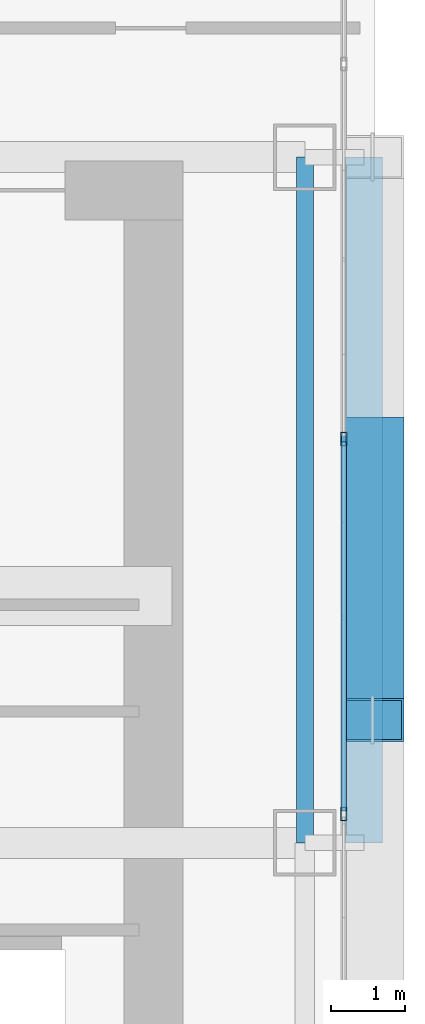
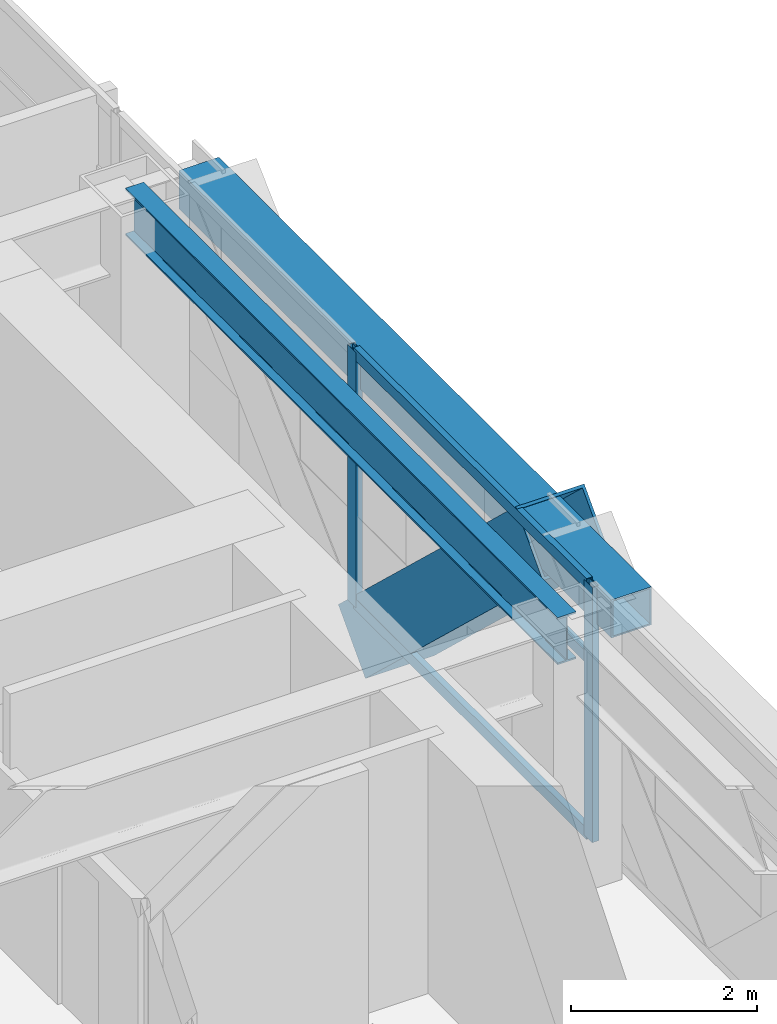
# One storey, part 15 of 38: 6 members, 2 beams, 1 element without a shape of its own.
"""IFC4 building model written with IfcOpenShell, lengths in metres."""

from ifc_helpers import new_model, si_unit, direction, frame, origin, origin_2d, place, context, subcontext, project, spatial, hollow_rectangle, i_section, extrude, source, transform, mapped, material, layer, layer_set, material_profile, profile_set, type_object, element, aggregate, save


model = new_model("IFC4")

# Units and contexts
model_context = context("Model", 3, precision=1e-05, world=origin(), true_north=direction((0.0, 1.0)))
body_context = subcontext(model_context, "Body", "Model", "MODEL_VIEW")
ifc_project = project(units=[si_unit("LENGTHUNIT", "METRE"), si_unit("AREAUNIT", "SQUARE_METRE"), si_unit("VOLUMEUNIT", "CUBIC_METRE"), si_unit("PLANEANGLEUNIT", "RADIAN"), si_unit("MASSUNIT", "GRAM", prefix="KILO")], contexts=[model_context])

# Site, building, storey
site_placement = place(None, origin())
site = spatial("IfcSite", under=ifc_project, at=site_placement, CompositionType="ELEMENT")
building_placement = place(site_placement, origin())
building = spatial("IfcBuilding", under=site, at=building_placement, Name="Ocotamira Hotel", CompositionType="ELEMENT")
storey_placement = place(building_placement, frame((0.0, 0.0, 45.60009765625)))
storey = spatial("IfcBuildingStorey", under=building, at=storey_placement, Name="L10", CompositionType="ELEMENT", Elevation=45.60009765625)

# Beams
ifc_material_1 = material(Name="Steel ASTM A992 Grade 50", Category="steel")
ifc_material_profile_1 = material_profile(ifc_material_1, i_section(OverallWidth=0.22998046875, OverallDepth=0.616943359375, WebThickness=0.01318359375, FlangeThickness=0.022216796875, FilletRadius=0.012939453125, at=origin_2d()), Name="W24X94")
ifc_profile_set_1 = profile_set([ifc_material_profile_1], Name="Steel ASTM A992 Grade 50")
beam_type_1 = type_object("IfcBeamType", Name="BM-PRIM-W24X94", PredefinedType="BEAM", material=ifc_profile_set_1)
shared_shape_1 = source(origin(), body_context, "Body", "SweptSolid", [
    extrude(i_section(OverallWidth=0.22998046875, OverallDepth=0.616943359375, WebThickness=0.01318359375, FlangeThickness=0.022216796875, FilletRadius=0.012939453125, at=origin_2d()), origin(), (0.0, 0.0, 1.0), 9.300048828125),
])
beam_1_placement = place(storey_placement, frame((55.050048828125, 28.14990234375, 3.04150390625), z_axis=(0.0, 1.0, 0.0), x_axis=(-1.0, 0.0, 0.0)))
element("IfcBeam", 1, at=beam_1_placement, inside=storey, type_object=beam_type_1, Name="L10 Beam X55.05 Y28.15-37.45", PredefinedType="BEAM", context=body_context, shape_type="MappedRepresentation", body=[
    mapped(shared_shape_1, transform((0.0, 0.0, 0.0), scale=1.0)),
])
ifc_material_2 = material(Name="Steel ASTM A500 Grade C", Category="steel")
ifc_material_profile_2 = material_profile(ifc_material_2, hollow_rectangle(XDim=0.5, YDim=0.5, WallThickness=0.02001953125, at=origin_2d()), Name="HSS500X500X20")
ifc_profile_set_2 = profile_set([ifc_material_profile_2], Name="Steel ASTM A500 Grade C")
beam_type_2 = type_object("IfcBeamType", Name="BM-SPAN-HSS500", PredefinedType="USERDEFINED", material=ifc_profile_set_2)
shared_shape_2 = source(origin(), body_context, "Body", "SweptSolid", [
    extrude(hollow_rectangle(XDim=0.5, YDim=0.5, WallThickness=0.02001953125, at=origin_2d()), origin(), (0.0, 0.0, 1.0), 9.300048828125),
])
beam_2_placement = place(storey_placement, frame((55.85009765625, 28.14990234375, 3.099853515625), z_axis=(0.0, 1.0, 0.0), x_axis=(-1.0, 0.0, 0.0)))
element("IfcBeam", 2, at=beam_2_placement, inside=storey, type_object=beam_type_2, Name="L10 Edge Spandrel E Y28.15-37.45", ObjectType="SPANDREL", PredefinedType="USERDEFINED", context=body_context, shape_type="MappedRepresentation", body=[
    mapped(shared_shape_2, transform((0.0, 0.0, 0.0), scale=1.0)),
])

# Member
ifc_material_3 = material(Name="Pale-metal coated steel ASTM A913 Grade 65", Category="steel")
ifc_material_profile_3 = material_profile(ifc_material_3, hollow_rectangle(XDim=0.85009765625, YDim=0.85009765625, WallThickness=0.035888671875, at=origin_2d()), Name="BOX850X850X36")
ifc_profile_set_3 = profile_set([ifc_material_profile_3], Name="Pale-metal coated steel ASTM A913 Grade 65")
member_type_1 = type_object("IfcMemberType", Name="MEM-EXO-BOX850", PredefinedType="BRACE", material=ifc_profile_set_3)
shared_shape_3 = source(origin(), body_context, "Body", "SweptSolid", [
    extrude(hollow_rectangle(XDim=0.85009765625, YDim=0.85009765625, WallThickness=0.035888671875, at=origin_2d()), origin(), (0.0, 0.0, 1.0), 5.24658203125),
])
member_1_placement = place(storey_placement, frame((55.969970703125, 33.63330078125, -0.5), z_axis=(0.0, -0.72746596067, 0.686143772154), x_axis=(1.0, 0.0, 0.0)))
element("IfcMember", 3, at=member_1_placement, inside=storey, type_object=member_type_1, Name="L10 Exoskeleton Diagrid E2.1", PredefinedType="BRACE", context=body_context, shape_type="MappedRepresentation", body=[
    mapped(shared_shape_3, transform((0.0, 0.0, 0.0), scale=1.0)),
])

# Curtain wall, members
ifc_material_4 = material(Name="Anodised pale-metal aluminium and solar glass", Category="aluminium")
ifc_layer = layer(ifc_material_4, 0.179931640625)
ifc_layer_set = layer_set([ifc_layer], Name="Anodised pale-metal aluminium and solar glass")
curtain_wall_type = type_object("IfcCurtainWallType", Name="CW-SYS2-Z1", PredefinedType="NOTDEFINED", material=ifc_layer_set)
curtain_wall_placement = place(storey_placement, origin())
curtain_wall = element("IfcCurtainWall", 4, at=curtain_wall_placement, inside=storey, type_object=curtain_wall_type, Name="L10 Curtain Wall CW-2 CW-L10-E", PredefinedType="NOTDEFINED")
ifc_material_5 = material(Name="Anodised pale-metal aluminium 6063-T6", Category="aluminium")
ifc_material_profile_4 = material_profile(ifc_material_5, hollow_rectangle(XDim=0.080078125, YDim=0.179931640625, WallThickness=0.006103515625, at=origin_2d()), Name="HSS180X80X6")
ifc_profile_set_4 = profile_set([ifc_material_profile_4], Name="Anodised pale-metal aluminium 6063-T6")
member_type_2 = type_object("IfcMemberType", Name="CWM-180X75", PredefinedType="MULLION", material=ifc_profile_set_4)
shared_shape_4 = source(origin(), body_context, "Body", "SweptSolid", [
    extrude(hollow_rectangle(XDim=0.080078125, YDim=0.179931640625, WallThickness=0.006103515625, at=origin_2d()), origin(), (0.0, 0.0, 1.0), 3.349853515625),
])
member_2_placement = place(storey_placement, frame((55.580078125, 28.54296875, 0.0), z_axis=(0.0, 0.0, 1.0), x_axis=(-1.0, 0.0, 0.0)))
member_2 = element("IfcMember", 5, at=member_2_placement, type_object=member_type_2, Name="CW-2 mullion 5", PredefinedType="MULLION", context=body_context, shape_type="MappedRepresentation", body=[
    mapped(shared_shape_4, transform((0.0, 0.0, 0.0), scale=1.0)),
])
member_3_placement = place(storey_placement, frame((55.580078125, 33.628662109375, 0.0), z_axis=(0.0, 0.0, 1.0), x_axis=(-1.0, 0.0, 0.0)))
member_3 = element("IfcMember", 6, at=member_3_placement, type_object=member_type_2, Name="CW-2 mullion 6", PredefinedType="MULLION", context=body_context, shape_type="MappedRepresentation", body=[
    mapped(shared_shape_4, transform((0.0, 0.0, 0.0), scale=1.0)),
])
ifc_material_profile_5 = material_profile(ifc_material_5, hollow_rectangle(XDim=0.074951171875, YDim=0.14990234375, WallThickness=0.006103515625, at=origin_2d()), Name="HSS150X75X6")
ifc_profile_set_5 = profile_set([ifc_material_profile_5], Name="Anodised pale-metal aluminium 6063-T6")
member_type_3 = type_object("IfcMemberType", Name="CWT-150X75", PredefinedType="USERDEFINED", material=ifc_profile_set_5)
shared_shape_5 = source(origin(), body_context, "Body", "SweptSolid", [
    extrude(hollow_rectangle(XDim=0.074951171875, YDim=0.14990234375, WallThickness=0.006103515625, at=origin_2d()), origin(), (0.0, 0.0, 1.0), 5.005859375),
])
member_4_placement = place(storey_placement, frame((55.580078125, 28.582763671875, 0.037353515625), z_axis=(0.0, 1.0, 0.0), x_axis=(-1.0, 0.0, 0.0)))
member_4 = element("IfcMember", 7, at=member_4_placement, type_object=member_type_3, Name="CW-2 transom 5.1", ObjectType="TRANSOM", PredefinedType="USERDEFINED", context=body_context, shape_type="MappedRepresentation", body=[
    mapped(shared_shape_5, transform((0.0, 0.0, 0.0), scale=1.0)),
])
member_5_placement = place(storey_placement, frame((55.580078125, 28.582763671875, 2.349853515625), z_axis=(0.0, 1.0, 0.0), x_axis=(-1.0, 0.0, 0.0)))
member_5 = element("IfcMember", 8, at=member_5_placement, type_object=member_type_3, Name="CW-2 transom 5.2", ObjectType="TRANSOM", PredefinedType="USERDEFINED", context=body_context, shape_type="MappedRepresentation", body=[
    mapped(shared_shape_5, transform((0.0, 0.0, 0.0), scale=1.0)),
])
member_6_placement = place(storey_placement, frame((55.580078125, 28.582763671875, 3.3125), z_axis=(0.0, 1.0, 0.0), x_axis=(-1.0, 0.0, 0.0)))
member_6 = element("IfcMember", 9, at=member_6_placement, type_object=member_type_3, Name="CW-2 transom 5.3", ObjectType="TRANSOM", PredefinedType="USERDEFINED", context=body_context, shape_type="MappedRepresentation", body=[
    mapped(shared_shape_5, transform((0.0, 0.0, 0.0), scale=1.0)),
])
aggregate(curtain_wall, [member_2, member_3, member_4, member_5, member_6])

save(model, "model.ifc")
